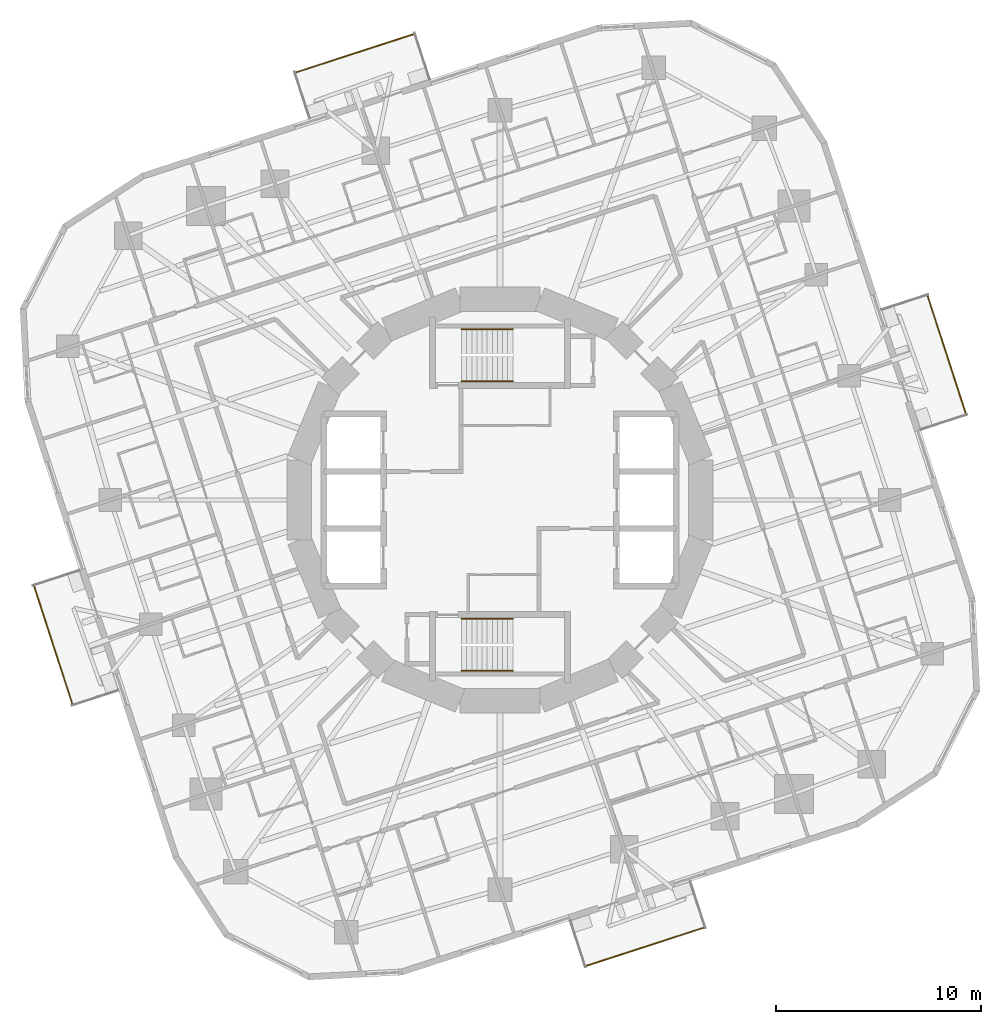
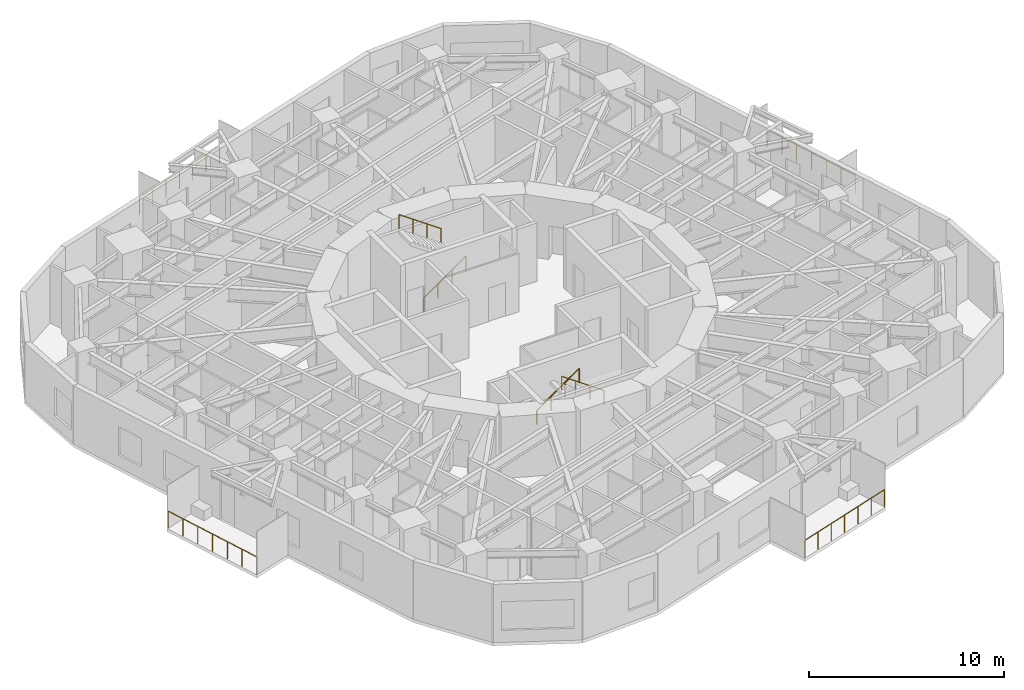
# One storey, part 12 of 13: 8 railings.
"""IFC4 building model written with IfcOpenShell, lengths in metres."""

from ifc_helpers import new_model, si_unit, direction, frame, origin, origin_2d, place, context, subcontext, project, spatial, circle, extrude, material, type_object, element, save


model = new_model("IFC4")

# Units and contexts
model_context = context("Model", 3, precision=1e-05, world=origin(), true_north=direction((0.0, 1.0)))
body_context = subcontext(model_context, "Body", "Model", "MODEL_VIEW")
ifc_project = project(units=[si_unit("LENGTHUNIT", "METRE"), si_unit("AREAUNIT", "SQUARE_METRE"), si_unit("VOLUMEUNIT", "CUBIC_METRE"), si_unit("PLANEANGLEUNIT", "RADIAN"), si_unit("MASSUNIT", "GRAM", prefix="KILO")], contexts=[model_context])

# Site, building, storey
site_placement = place(None, origin())
site = spatial("IfcSite", under=ifc_project, at=site_placement, CompositionType="ELEMENT")
building_placement = place(site_placement, origin())
building = spatial("IfcBuilding", under=site, at=building_placement, Name="Nakasero Lantern House", CompositionType="ELEMENT")
storey_placement = place(building_placement, frame((0.0, 0.0, 161.050048828125)))
storey = spatial("IfcBuildingStorey", under=building, at=storey_placement, Name="L39", CompositionType="ELEMENT", Elevation=161.050048828125)

# Railings
ifc_material_1 = material(Name="Aluminium 6063-T6", Category="aluminium")
railing_type_1 = type_object("IfcRailingType", Name="Balcony guard 1100", PredefinedType="BALUSTRADE", material=ifc_material_1)
railing_1_placement = place(storey_placement, frame((22.7724609375, 4.181640625, 0.0)))
element("IfcRailing", 1, at=railing_1_placement, inside=storey, type_object=railing_type_1, Name="Balcony guard L39 BAL0", PredefinedType="BALUSTRADE", context=body_context, shape_type="SweptSolid", body=[
    extrude(circle(Radius=0.02392578125, at=origin_2d()), frame((0.0, 0.0, 1.076171875), z_axis=(-0.309038265471, 0.951049604634, 0.0), x_axis=(-0.951049604634, -0.309038265471, 0.0)), (0.0, 0.0, 1.0), 6.1201171875),
    extrude(circle(Radius=0.02099609375, at=origin_2d()), origin(), (0.0, 0.0, 1.0), 1.052001953125),
    extrude(circle(Radius=0.02099609375, at=origin_2d()), frame((-0.315185546875, 0.97021484375, 0.0)), (0.0, 0.0, 1.0), 1.052001953125),
    extrude(circle(Radius=0.02099609375, at=origin_2d()), frame((-0.63037109375, 1.940185546875, 0.0)), (0.0, 0.0, 1.0), 1.052001953125),
    extrude(circle(Radius=0.02099609375, at=origin_2d()), frame((-0.94580078125, 2.91015625, 0.0)), (0.0, 0.0, 1.0), 1.052001953125),
    extrude(circle(Radius=0.02099609375, at=origin_2d()), frame((-1.260986328125, 3.88037109375, 0.0)), (0.0, 0.0, 1.0), 1.052001953125),
    extrude(circle(Radius=0.02099609375, at=origin_2d()), frame((-1.576171875, 4.8505859375, 0.0)), (0.0, 0.0, 1.0), 1.052001953125),
    extrude(circle(Radius=0.02099609375, at=origin_2d()), frame((-1.891357421875, 5.820556640625, 0.0)), (0.0, 0.0, 1.0), 1.052001953125),
])
railing_2_placement = place(storey_placement, frame((-4.181640625, 22.7724609375, 0.0)))
element("IfcRailing", 2, at=railing_2_placement, inside=storey, type_object=railing_type_1, Name="Balcony guard L39 BAL1", PredefinedType="BALUSTRADE", context=body_context, shape_type="SweptSolid", body=[
    extrude(circle(Radius=0.02392578125, at=origin_2d()), frame((0.0, 0.0, 1.076171875), z_axis=(-0.951049604634, -0.309038265471, 0.0), x_axis=(0.309038265471, -0.951049604634, 0.0)), (0.0, 0.0, 1.0), 6.1201171875),
    extrude(circle(Radius=0.02099609375, at=origin_2d()), origin(), (0.0, 0.0, 1.0), 1.052001953125),
    extrude(circle(Radius=0.02099609375, at=origin_2d()), frame((-0.97021484375, -0.315185546875, 0.0)), (0.0, 0.0, 1.0), 1.052001953125),
    extrude(circle(Radius=0.02099609375, at=origin_2d()), frame((-1.940185546875, -0.63037109375, 0.0)), (0.0, 0.0, 1.0), 1.052001953125),
    extrude(circle(Radius=0.02099609375, at=origin_2d()), frame((-2.91015625, -0.94580078125, 0.0)), (0.0, 0.0, 1.0), 1.052001953125),
    extrude(circle(Radius=0.02099609375, at=origin_2d()), frame((-3.88037109375, -1.260986328125, 0.0)), (0.0, 0.0, 1.0), 1.052001953125),
    extrude(circle(Radius=0.02099609375, at=origin_2d()), frame((-4.8505859375, -1.576171875, 0.0)), (0.0, 0.0, 1.0), 1.052001953125),
    extrude(circle(Radius=0.02099609375, at=origin_2d()), frame((-5.820556640625, -1.891357421875, 0.0)), (0.0, 0.0, 1.0), 1.052001953125),
])
railing_3_placement = place(storey_placement, frame((-22.7724609375, -4.181640625, 0.0)))
element("IfcRailing", 3, at=railing_3_placement, inside=storey, type_object=railing_type_1, Name="Balcony guard L39 BAL2", PredefinedType="BALUSTRADE", context=body_context, shape_type="SweptSolid", body=[
    extrude(circle(Radius=0.02392578125, at=origin_2d()), frame((0.0, 0.0, 1.076171875), z_axis=(0.309038265471, -0.951049604634, 0.0), x_axis=(0.951049604634, 0.309038265471, 0.0)), (0.0, 0.0, 1.0), 6.1201171875),
    extrude(circle(Radius=0.02099609375, at=origin_2d()), origin(), (0.0, 0.0, 1.0), 1.052001953125),
    extrude(circle(Radius=0.02099609375, at=origin_2d()), frame((0.315185546875, -0.97021484375, 0.0)), (0.0, 0.0, 1.0), 1.052001953125),
    extrude(circle(Radius=0.02099609375, at=origin_2d()), frame((0.63037109375, -1.940185546875, 0.0)), (0.0, 0.0, 1.0), 1.052001953125),
    extrude(circle(Radius=0.02099609375, at=origin_2d()), frame((0.94580078125, -2.91015625, 0.0)), (0.0, 0.0, 1.0), 1.052001953125),
    extrude(circle(Radius=0.02099609375, at=origin_2d()), frame((1.260986328125, -3.88037109375, 0.0)), (0.0, 0.0, 1.0), 1.052001953125),
    extrude(circle(Radius=0.02099609375, at=origin_2d()), frame((1.576171875, -4.8505859375, 0.0)), (0.0, 0.0, 1.0), 1.052001953125),
    extrude(circle(Radius=0.02099609375, at=origin_2d()), frame((1.891357421875, -5.820556640625, 0.0)), (0.0, 0.0, 1.0), 1.052001953125),
])
railing_4_placement = place(storey_placement, frame((4.181640625, -22.7724609375, 0.0)))
element("IfcRailing", 4, at=railing_4_placement, inside=storey, type_object=railing_type_1, Name="Balcony guard L39 BAL3", PredefinedType="BALUSTRADE", context=body_context, shape_type="SweptSolid", body=[
    extrude(circle(Radius=0.02392578125, at=origin_2d()), frame((0.0, 0.0, 1.076171875), z_axis=(0.951049604634, 0.309038265471, 0.0), x_axis=(-0.309038265471, 0.951049604634, 0.0)), (0.0, 0.0, 1.0), 6.1201171875),
    extrude(circle(Radius=0.02099609375, at=origin_2d()), origin(), (0.0, 0.0, 1.0), 1.052001953125),
    extrude(circle(Radius=0.02099609375, at=origin_2d()), frame((0.97021484375, 0.315185546875, 0.0)), (0.0, 0.0, 1.0), 1.052001953125),
    extrude(circle(Radius=0.02099609375, at=origin_2d()), frame((1.940185546875, 0.63037109375, 0.0)), (0.0, 0.0, 1.0), 1.052001953125),
    extrude(circle(Radius=0.02099609375, at=origin_2d()), frame((2.91015625, 0.94580078125, 0.0)), (0.0, 0.0, 1.0), 1.052001953125),
    extrude(circle(Radius=0.02099609375, at=origin_2d()), frame((3.88037109375, 1.260986328125, 0.0)), (0.0, 0.0, 1.0), 1.052001953125),
    extrude(circle(Radius=0.02099609375, at=origin_2d()), frame((4.8505859375, 1.576171875, 0.0)), (0.0, 0.0, 1.0), 1.052001953125),
    extrude(circle(Radius=0.02099609375, at=origin_2d()), frame((5.820556640625, 1.891357421875, 0.0)), (0.0, 0.0, 1.0), 1.052001953125),
])
ifc_material_2 = material(Name="Stainless steel 316", Category="steel")
railing_type_2 = type_object("IfcRailingType", Name="Stair handrail 900", PredefinedType="HANDRAIL", material=ifc_material_2)
railing_5_placement = place(storey_placement, frame((-1.875, 5.800048828125, 0.175048828125)))
element("IfcRailing", 5, at=railing_5_placement, inside=storey, type_object=railing_type_2, Name="Handrail ST1 L39 flight 1", PredefinedType="HANDRAIL", context=body_context, shape_type="SweptSolid", body=[
    extrude(circle(Radius=0.02392578125, at=origin_2d()), frame((0.0, 0.0, 0.8759765625), z_axis=(0.819231920519, 0.0, 0.573462344363), x_axis=(0.0, 1.0, 0.0)), (0.0, 0.0, 1.0), 3.0517578125),
    extrude(circle(Radius=0.02099609375, at=origin_2d()), origin(), (0.0, 0.0, 1.0), 0.851806640625),
    extrude(circle(Radius=0.02099609375, at=origin_2d()), frame((0.833251953125, 0.0, 0.583251953125)), (0.0, 0.0, 1.0), 0.851806640625),
    extrude(circle(Radius=0.02099609375, at=origin_2d()), frame((1.666748046875, 0.0, 1.166748046875)), (0.0, 0.0, 1.0), 0.851806640625),
    extrude(circle(Radius=0.02099609375, at=origin_2d()), frame((2.5, 0.0, 1.75)), (0.0, 0.0, 1.0), 0.851806640625),
])
railing_6_placement = place(storey_placement, frame((0.625, 8.35009765625, 2.099853515625)))
element("IfcRailing", 6, at=railing_6_placement, inside=storey, type_object=railing_type_2, Name="Handrail ST1 L39 flight 2", PredefinedType="HANDRAIL", context=body_context, shape_type="SweptSolid", body=[
    extrude(circle(Radius=0.02392578125, at=origin_2d()), frame((0.0, 0.0, 0.8759765625), z_axis=(-0.819231920519, 0.0, 0.573462344363), x_axis=(0.0, -1.0, 0.0)), (0.0, 0.0, 1.0), 3.0517578125),
    extrude(circle(Radius=0.02099609375, at=origin_2d()), origin(), (0.0, 0.0, 1.0), 0.851806640625),
    extrude(circle(Radius=0.02099609375, at=origin_2d()), frame((-0.833251953125, 0.0, 0.583251953125)), (0.0, 0.0, 1.0), 0.851806640625),
    extrude(circle(Radius=0.02099609375, at=origin_2d()), frame((-1.666748046875, 0.0, 1.166748046875)), (0.0, 0.0, 1.0), 0.851806640625),
    extrude(circle(Radius=0.02099609375, at=origin_2d()), frame((-2.5, 0.0, 1.75)), (0.0, 0.0, 1.0), 0.851806640625),
])
railing_7_placement = place(storey_placement, frame((-1.875, -5.800048828125, 0.175048828125)))
element("IfcRailing", 7, at=railing_7_placement, inside=storey, type_object=railing_type_2, Name="Handrail ST2 L39 flight 1", PredefinedType="HANDRAIL", context=body_context, shape_type="SweptSolid", body=[
    extrude(circle(Radius=0.02392578125, at=origin_2d()), frame((0.0, 0.0, 0.8759765625), z_axis=(0.819231920519, 0.0, 0.573462344363), x_axis=(0.0, 1.0, 0.0)), (0.0, 0.0, 1.0), 3.0517578125),
    extrude(circle(Radius=0.02099609375, at=origin_2d()), origin(), (0.0, 0.0, 1.0), 0.851806640625),
    extrude(circle(Radius=0.02099609375, at=origin_2d()), frame((0.833251953125, 0.0, 0.583251953125)), (0.0, 0.0, 1.0), 0.851806640625),
    extrude(circle(Radius=0.02099609375, at=origin_2d()), frame((1.666748046875, 0.0, 1.166748046875)), (0.0, 0.0, 1.0), 0.851806640625),
    extrude(circle(Radius=0.02099609375, at=origin_2d()), frame((2.5, 0.0, 1.75)), (0.0, 0.0, 1.0), 0.851806640625),
])
railing_8_placement = place(storey_placement, frame((0.625, -8.35009765625, 2.099853515625)))
element("IfcRailing", 8, at=railing_8_placement, inside=storey, type_object=railing_type_2, Name="Handrail ST2 L39 flight 2", PredefinedType="HANDRAIL", context=body_context, shape_type="SweptSolid", body=[
    extrude(circle(Radius=0.02392578125, at=origin_2d()), frame((0.0, 0.0, 0.8759765625), z_axis=(-0.819231920519, 0.0, 0.573462344363), x_axis=(0.0, -1.0, 0.0)), (0.0, 0.0, 1.0), 3.0517578125),
    extrude(circle(Radius=0.02099609375, at=origin_2d()), origin(), (0.0, 0.0, 1.0), 0.851806640625),
    extrude(circle(Radius=0.02099609375, at=origin_2d()), frame((-0.833251953125, 0.0, 0.583251953125)), (0.0, 0.0, 1.0), 0.851806640625),
    extrude(circle(Radius=0.02099609375, at=origin_2d()), frame((-1.666748046875, 0.0, 1.166748046875)), (0.0, 0.0, 1.0), 0.851806640625),
    extrude(circle(Radius=0.02099609375, at=origin_2d()), frame((-2.5, 0.0, 1.75)), (0.0, 0.0, 1.0), 0.851806640625),
])

save(model, "model.ifc")
